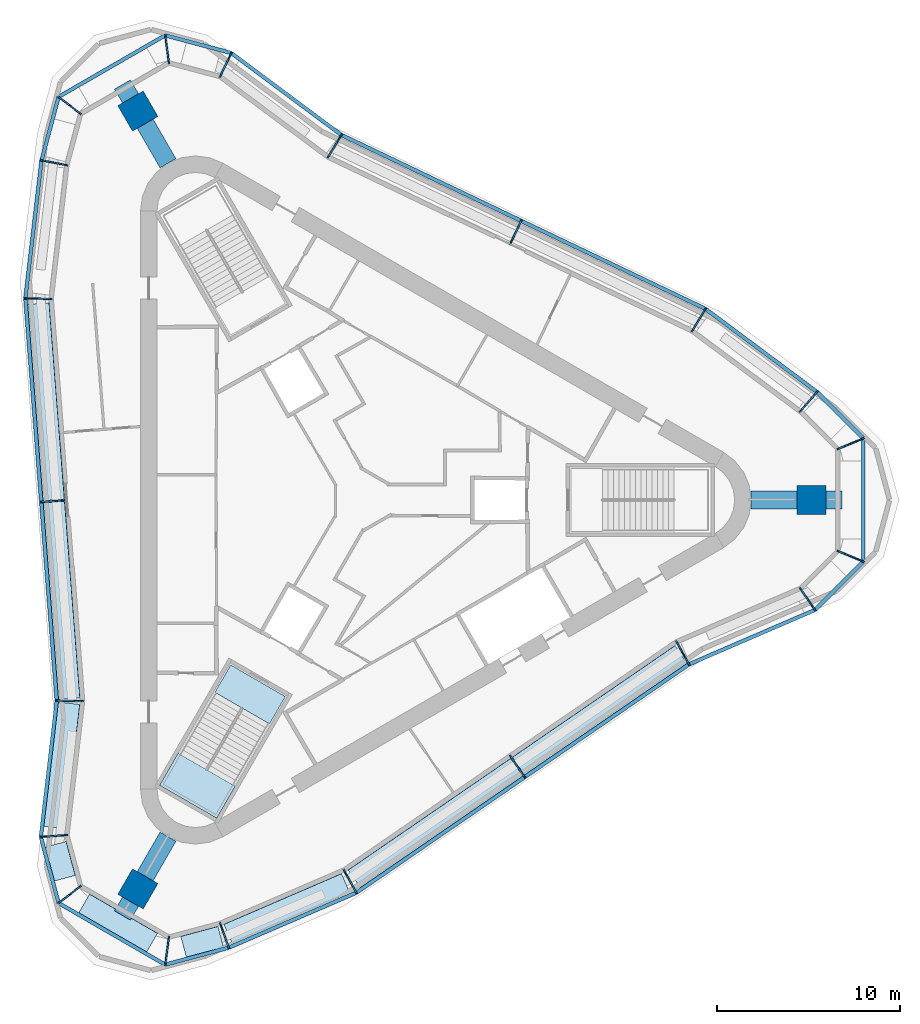
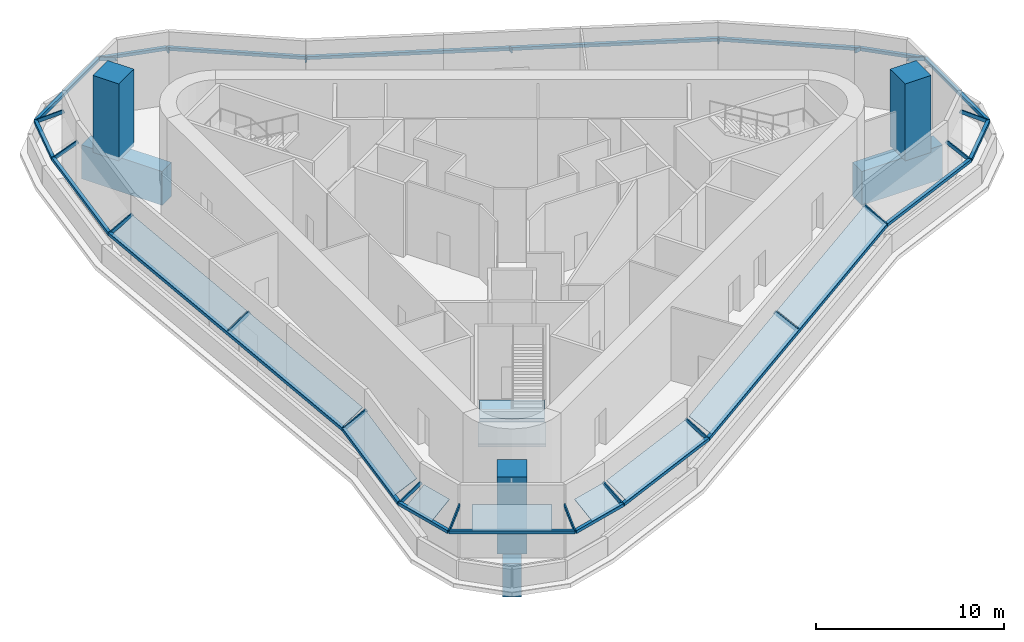
# One storey, part 1 of 7: 39 members, 9 plates, 3 beams, 3 columns, 2 slabs, 2 elements without a shape of their own.
"""IFC4 building model written with IfcOpenShell, lengths in metres."""

from ifc_helpers import new_model, si_unit, direction, frame, origin, origin_2d, place, context, subcontext, project, spatial, polyline, rectangle, outline, extrude, material, layer, layer_set, material_profile, profile_set, type_object, element, aggregate, save


model = new_model("IFC4")

# Units and contexts
model_context = context("Model", 3, precision=1e-05, world=origin(), true_north=direction((0.0, 1.0)))
body_context = subcontext(model_context, "Body", "Model", "MODEL_VIEW")
ifc_project = project(units=[si_unit("LENGTHUNIT", "METRE"), si_unit("AREAUNIT", "SQUARE_METRE"), si_unit("VOLUMEUNIT", "CUBIC_METRE"), si_unit("PLANEANGLEUNIT", "RADIAN"), si_unit("MASSUNIT", "GRAM", prefix="KILO")], contexts=[model_context])

# Site, building, storey
site_placement = place(None, origin())
site = spatial("IfcSite", under=ifc_project, at=site_placement, CompositionType="ELEMENT")
building_placement = place(site_placement, origin())
building = spatial("IfcBuilding", under=site, at=building_placement, Name="Tanit Gate Tower", CompositionType="ELEMENT")
storey_placement = place(building_placement, frame((0.0, 0.0, 420.300048828125)))
storey = spatial("IfcBuildingStorey", under=building, at=storey_placement, Name="L95", CompositionType="ELEMENT", Elevation=420.300048828125)

# Columns
ifc_material_1 = material(Name="Concrete C40/50", Category="concrete")
ifc_material_profile_1 = material_profile(ifc_material_1, rectangle(XDim=1.60009765625, YDim=1.60009765625, at=origin_2d()), Name="RC 1600x1600")
ifc_profile_set_1 = profile_set([ifc_material_profile_1], Name="Concrete C40/50")
column_type = type_object("IfcColumnType", Name="MEGA COLUMN 1600x1600 C40/50", PredefinedType="COLUMN", material=ifc_profile_set_1)
for number, where, z_axis, x_axis, name in (
    (1, (24.486083984375, 0.0, -0.25), (0.0, 0.0, 1.0), (1.0, 0.0, 0.0), "MEGA COLUMN"),
    (2, (-12.242919921875, 21.20556640625, -0.25), (0.0, 0.0, 1.0), (-0.5, 0.866025403784, 0.0), "MEGA COLUMN"),
    (3, (-12.242919921875, -21.20556640625, -0.25), (0.0, 0.0, 1.0), (-0.5, -0.866025403784, 0.0), "MEGA COLUMN"),
):
    element("IfcColumn", number, at=place(storey_placement, frame(where, z_axis=z_axis, x_axis=x_axis)), inside=storey, type_object=column_type, Name=name, PredefinedType="COLUMN", context=body_context, shape_type="SweptSolid", body=[
        extrude(rectangle(XDim=1.60009765625, YDim=1.60009765625, at=origin_2d()), origin(), (0.0, 0.0, 1.0), 5.0),
    ])

# Curtain wall, members
ifc_material_2 = material(Name="Aluminium bronze anodised and glass", Category="aluminium")
curtain_wall_type = type_object("IfcCurtainWallType", Name="Curtain wall crown roof", PredefinedType="NOTDEFINED", material=ifc_material_2)
curtain_wall_placement = place(storey_placement, origin())
curtain_wall = element("IfcCurtainWall", 4, at=curtain_wall_placement, inside=storey, type_object=curtain_wall_type, Name="Glass roof L95", PredefinedType="NOTDEFINED")
ifc_material_3 = material(Name="Aluminium bronze anodised", Category="aluminium")
ifc_material_profile_2 = material_profile(ifc_material_3, rectangle(XDim=0.080078125, YDim=0.219970703125, at=origin_2d()), Name="80x220 bronze rafter")
ifc_profile_set_2 = profile_set([ifc_material_profile_2], Name="Aluminium bronze anodised")
member_type_1 = type_object("IfcMemberType", Name="Mullion 80x220 crown roof", PredefinedType="MULLION", material=ifc_profile_set_2)
member_1_placement = place(storey_placement, frame((23.866455078125, 4.82958984375, 3.408203125), z_axis=(0.566694386259, 0.655617175593, -0.499022636411), x_axis=(-0.756549198503, 0.653936778476, 0.0)))
member_1 = element("IfcMember", 5, at=member_1_placement, type_object=member_type_1, Name="Roof rafter L95 NE1.1", PredefinedType="MULLION", context=body_context, shape_type="SweptSolid", body=[
    extrude(rectangle(XDim=0.080078125, YDim=0.219970703125, at=origin_2d()), origin(), (0.0, 0.0, 1.0), 1.619873046875),
])
member_2_placement = place(storey_placement, frame((17.979736328125, 9.21435546875, 3.408203125), z_axis=(0.447866885512, 0.742381500749, -0.498282008713), x_axis=(-0.856249875895, 0.516561854989, 0.0)))
member_2 = element("IfcMember", 6, at=member_2_placement, type_object=member_type_1, Name="Roof rafter L95 NE1.2", PredefinedType="MULLION", context=body_context, shape_type="SweptSolid", body=[
    extrude(rectangle(XDim=0.080078125, YDim=0.219970703125, at=origin_2d()), origin(), (0.0, 0.0, 1.0), 1.622314453125),
])
member_3_placement = place(storey_placement, frame((8.0546875, 13.955810546875, 3.408203125), z_axis=(0.373331354962, 0.781398232433, -0.500040500113), x_axis=(-0.902305323306, 0.431097556864, 0.0)))
member_3 = element("IfcMember", 7, at=member_3_placement, type_object=member_type_1, Name="Roof rafter L95 NE2.2", PredefinedType="MULLION", context=body_context, shape_type="SweptSolid", body=[
    extrude(rectangle(XDim=0.080078125, YDim=0.219970703125, at=origin_2d()), origin(), (0.0, 0.0, 1.0), 1.616455078125),
])
member_4_placement = place(storey_placement, frame((-1.870361328125, 18.697265625, 3.408203125), z_axis=(0.447987179673, 0.742331460304, -0.498248421866), x_axis=(-0.856173099661, 0.516689097444, 0.0)))
member_4 = element("IfcMember", 8, at=member_4_placement, type_object=member_type_1, Name="Roof rafter L95 NE2.3", PredefinedType="MULLION", context=body_context, shape_type="SweptSolid", body=[
    extrude(rectangle(XDim=0.080078125, YDim=0.219970703125, at=origin_2d()), origin(), (0.0, 0.0, 1.0), 1.622314453125),
])
member_5_placement = place(storey_placement, frame((-7.764404296875, 23.08740234375, 3.408203125), z_axis=(0.379155528934, 0.78289285051, -0.493274639018), x_axis=(-0.900007569344, 0.435874265268, 0.0)))
member_5 = element("IfcMember", 9, at=member_5_placement, type_object=member_type_1, Name="Roof rafter L95 NE3.2", PredefinedType="MULLION", context=body_context, shape_type="SweptSolid", body=[
    extrude(rectangle(XDim=0.080078125, YDim=0.219970703125, at=origin_2d()), origin(), (0.0, 0.0, 1.0), 1.638671875),
])
member_6_placement = place(storey_placement, frame((-10.552001953125, 23.83447265625, 3.408203125), z_axis=(-0.11527965255, 0.874760766702, -0.470642329956), x_axis=(-0.991427954925, -0.130654545246, 0.0)))
member_6 = element("IfcMember", 10, at=member_6_placement, type_object=member_type_1, Name="Roof rafter L95 NW.arc1.2", PredefinedType="MULLION", context=body_context, shape_type="SweptSolid", body=[
    extrude(rectangle(XDim=0.080078125, YDim=0.219970703125, at=origin_2d()), origin(), (0.0, 0.0, 1.0), 1.717529296875),
])
member_7_placement = place(storey_placement, frame((-15.365234375, 21.0556640625, 3.408203125), z_axis=(-0.69999571717, 0.537080385757, -0.470691677406), x_axis=(-0.608729170029, -0.793378092435, 0.0)))
member_7 = element("IfcMember", 11, at=member_7_placement, type_object=member_type_1, Name="Roof rafter L95 NW.arc2.2", PredefinedType="MULLION", context=body_context, shape_type="SweptSolid", body=[
    extrude(rectangle(XDim=0.080078125, YDim=0.219970703125, at=origin_2d()), origin(), (0.0, 0.0, 1.0), 1.71728515625),
])
member_8_placement = place(storey_placement, frame((-16.11572265625, 18.254150390625, 3.408203125), z_axis=(-0.851124919905, 0.162930058158, -0.499039243812), x_axis=(-0.188015155556, -0.98216612713, 0.0)))
member_8 = element("IfcMember", 12, at=member_8_placement, type_object=member_type_1, Name="Roof rafter L95 NW.arc3.2", PredefinedType="MULLION", context=body_context, shape_type="SweptSolid", body=[
    extrude(rectangle(XDim=0.080078125, YDim=0.219970703125, at=origin_2d()), origin(), (0.0, 0.0, 1.0), 1.619873046875),
])
member_9_placement = place(storey_placement, frame((-16.9697265625, 10.963623046875, 3.408203125), z_axis=(-0.866848174051, 0.016855381162, -0.498287205605), x_axis=(-0.019440769646, -0.999811010379, 0.0)))
member_9 = element("IfcMember", 13, at=member_9_placement, type_object=member_type_1, Name="Roof rafter L95 W1.2", PredefinedType="MULLION", context=body_context, shape_type="SweptSolid", body=[
    extrude(rectangle(XDim=0.080078125, YDim=0.219970703125, at=origin_2d()), origin(), (0.0, 0.0, 1.0), 1.622314453125),
])
member_10_placement = place(storey_placement, frame((-16.113525390625, -0.00244140625, 3.408203125), z_axis=(-0.863385119801, -0.067355214873, -0.500029409071), x_axis=(0.077776627829, -0.996970810086, 0.0)))
member_10 = element("IfcMember", 14, at=member_10_placement, type_object=member_type_1, Name="Roof rafter L95 W2.2", PredefinedType="MULLION", context=body_context, shape_type="SweptSolid", body=[
    extrude(rectangle(XDim=0.080078125, YDim=0.219970703125, at=origin_2d()), origin(), (0.0, 0.0, 1.0), 1.61669921875),
])
member_11_placement = place(storey_placement, frame((-15.25732421875, -10.96826171875, 3.408203125), z_axis=(-0.866850363127, 0.016704928873, -0.498288463943), x_axis=(-0.019267256073, -0.999814369192, 0.0)))
member_11 = element("IfcMember", 15, at=member_11_placement, type_object=member_type_1, Name="Roof rafter L95 W2.3", PredefinedType="MULLION", context=body_context, shape_type="SweptSolid", body=[
    extrude(rectangle(XDim=0.080078125, YDim=0.219970703125, at=origin_2d()), origin(), (0.0, 0.0, 1.0), 1.622314453125),
])
member_12_placement = place(storey_placement, frame((-16.112060546875, -18.267822265625, 3.408203125), z_axis=(-0.867561420463, -0.063171224846, -0.493301711), x_axis=(0.072622433472, -0.997359504971, 0.0)))
member_12 = element("IfcMember", 16, at=member_12_placement, type_object=member_type_1, Name="Roof rafter L95 W3.2", PredefinedType="MULLION", context=body_context, shape_type="SweptSolid", body=[
    extrude(rectangle(XDim=0.080078125, YDim=0.219970703125, at=origin_2d()), origin(), (0.0, 0.0, 1.0), 1.638671875),
])
member_13_placement = place(storey_placement, frame((-15.365234375, -21.0556640625, 3.408203125), z_axis=(-0.69999571717, -0.537080385757, -0.470691677406), x_axis=(0.608729170029, -0.793378092435, 0.0)))
member_13 = element("IfcMember", 17, at=member_13_placement, type_object=member_type_1, Name="Roof rafter L95 SW.arc1.2", PredefinedType="MULLION", context=body_context, shape_type="SweptSolid", body=[
    extrude(rectangle(XDim=0.080078125, YDim=0.219970703125, at=origin_2d()), origin(), (0.0, 0.0, 1.0), 1.71728515625),
])
member_14_placement = place(storey_placement, frame((-10.552001953125, -23.83447265625, 3.408203125), z_axis=(-0.11527965255, -0.874760766702, -0.470642329956), x_axis=(0.991427954925, -0.130654545246, 0.0)))
member_14 = element("IfcMember", 18, at=member_14_placement, type_object=member_type_1, Name="Roof rafter L95 SW.arc2.2", PredefinedType="MULLION", context=body_context, shape_type="SweptSolid", body=[
    extrude(rectangle(XDim=0.080078125, YDim=0.219970703125, at=origin_2d()), origin(), (0.0, 0.0, 1.0), 1.717529296875),
])
member_15_placement = place(storey_placement, frame((-7.750732421875, -23.083740234375, 3.408203125), z_axis=(0.284413741675, -0.8185750032, -0.499042871588), x_axis=(0.94460702546, 0.328203545764, 0.0)))
member_15 = element("IfcMember", 19, at=member_15_placement, type_object=member_type_1, Name="Roof rafter L95 SW.arc3.2", PredefinedType="MULLION", context=body_context, shape_type="SweptSolid", body=[
    extrude(rectangle(XDim=0.080078125, YDim=0.219970703125, at=origin_2d()), origin(), (0.0, 0.0, 1.0), 1.619873046875),
])
member_16_placement = place(storey_placement, frame((-1.010009765625, -20.177978515625, 3.408203125), z_axis=(0.418965003126, -0.75907308756, -0.498273392726), x_axis=(0.875496660947, 0.483224168136, 0.0)))
member_16 = element("IfcMember", 20, at=member_16_placement, type_object=member_type_1, Name="Roof rafter L95 SE1.2", PredefinedType="MULLION", context=body_context, shape_type="SweptSolid", body=[
    extrude(rectangle(XDim=0.080078125, YDim=0.219970703125, at=origin_2d()), origin(), (0.0, 0.0, 1.0), 1.622314453125),
])
member_17_placement = place(storey_placement, frame((8.058837890625, -13.953369140625, 3.408203125), z_axis=(0.490056434696, -0.714017511015, -0.500023684216), x_axis=(0.824489423049, 0.56587736417, 0.0)))
member_17 = element("IfcMember", 21, at=member_17_placement, type_object=member_type_1, Name="Roof rafter L95 SE2.2", PredefinedType="MULLION", context=body_context, shape_type="SweptSolid", body=[
    extrude(rectangle(XDim=0.080078125, YDim=0.219970703125, at=origin_2d()), origin(), (0.0, 0.0, 1.0), 1.61669921875),
])
member_18_placement = place(storey_placement, frame((17.12744140625, -7.72900390625, 3.408203125), z_axis=(0.418965003126, -0.75907308756, -0.498273392726), x_axis=(0.875496660947, 0.483224168136, 0.0)))
member_18 = element("IfcMember", 22, at=member_18_placement, type_object=member_type_1, Name="Roof rafter L95 SE2.3", PredefinedType="MULLION", context=body_context, shape_type="SweptSolid", body=[
    extrude(rectangle(XDim=0.080078125, YDim=0.219970703125, at=origin_2d()), origin(), (0.0, 0.0, 1.0), 1.622314453125),
])
member_19_placement = place(storey_placement, frame((23.87646484375, -4.819580078125, 3.408203125), z_axis=(0.488516195533, -0.719738255754, -0.493283660692), x_axis=(0.827410401584, 0.561597745144, 0.0)))
member_19 = element("IfcMember", 23, at=member_19_placement, type_object=member_type_1, Name="Roof rafter L95 SE3.2", PredefinedType="MULLION", context=body_context, shape_type="SweptSolid", body=[
    extrude(rectangle(XDim=0.080078125, YDim=0.219970703125, at=origin_2d()), origin(), (0.0, 0.0, 1.0), 1.638671875),
])
member_20_placement = place(storey_placement, frame((25.917236328125, -2.77880859375, 3.408203125), z_axis=(0.815142652957, -0.337628845618, -0.47069015067), x_axis=(0.382669601595, 0.923885261283, 0.0)))
member_20 = element("IfcMember", 24, at=member_20_placement, type_object=member_type_1, Name="Roof rafter L95 E.arc1.2", PredefinedType="MULLION", context=body_context, shape_type="SweptSolid", body=[
    extrude(rectangle(XDim=0.080078125, YDim=0.219970703125, at=origin_2d()), origin(), (0.0, 0.0, 1.0), 1.71728515625),
])
member_21_placement = place(storey_placement, frame((25.917236328125, 2.77880859375, 3.408203125), z_axis=(0.815142652957, 0.337628845618, -0.47069015067), x_axis=(-0.382669601595, 0.923885261283, 0.0)))
member_21 = element("IfcMember", 25, at=member_21_placement, type_object=member_type_1, Name="Roof rafter L95 E.arc2.2", PredefinedType="MULLION", context=body_context, shape_type="SweptSolid", body=[
    extrude(rectangle(XDim=0.080078125, YDim=0.219970703125, at=origin_2d()), origin(), (0.0, 0.0, 1.0), 1.71728515625),
])

# Beams
ifc_material_4 = material(Name="Concrete C60/75", Category="concrete")
ifc_material_profile_3 = material_profile(ifc_material_4, rectangle(XDim=1.0, YDim=2.199951171875, at=origin_2d()), Name="RC 1000x2200")
ifc_profile_set_3 = profile_set([ifc_material_profile_3], Name="Concrete C60/75")
beam_type = type_object("IfcBeamType", Name="TRANSFER GIRDER 1000x2200 C60/75", PredefinedType="USERDEFINED", material=ifc_profile_set_3)
beam_1_placement = place(storey_placement, frame((-13.08056640625, -22.65625, -1.35009765625), z_axis=(0.499993775223, 0.866028997631, 0.0), x_axis=(-0.866028997631, 0.499993775223, 0.0)))
element("IfcBeam", 26, at=beam_1_placement, inside=storey, type_object=beam_type, Name="TRANSFER GIRDER", ObjectType="GIRDER", PredefinedType="USERDEFINED", context=body_context, shape_type="SweptSolid", body=[
    extrude(rectangle(XDim=1.0, YDim=2.199951171875, at=origin_2d()), origin(), (0.0, 0.0, 1.0), 4.958984375),
])
beam_2_placement = place(storey_placement, frame((26.1611328125, 0.0, -1.35009765625), z_axis=(-1.0, 0.0, 0.0), x_axis=(0.0, -1.0, 0.0)))
element("IfcBeam", 27, at=beam_2_placement, inside=storey, type_object=beam_type, Name="TRANSFER GIRDER", ObjectType="GIRDER", PredefinedType="USERDEFINED", context=body_context, shape_type="SweptSolid", body=[
    extrude(rectangle(XDim=1.0, YDim=2.199951171875, at=origin_2d()), origin(), (0.0, 0.0, 1.0), 4.959228515625),
])
beam_3_placement = place(storey_placement, frame((-13.08056640625, 22.65625, -1.35009765625), z_axis=(0.499993775223, -0.866028997631, 0.0), x_axis=(0.866028997631, 0.499993775223, 0.0)))
element("IfcBeam", 28, at=beam_3_placement, inside=storey, type_object=beam_type, Name="TRANSFER GIRDER", ObjectType="GIRDER", PredefinedType="USERDEFINED", context=body_context, shape_type="SweptSolid", body=[
    extrude(rectangle(XDim=1.0, YDim=2.199951171875, at=origin_2d()), origin(), (0.0, 0.0, 1.0), 4.958984375),
])

# Member
ifc_material_5 = material(Name="Aluminium bronze anodised", Category="aluminium")
ifc_material_profile_4 = material_profile(ifc_material_5, rectangle(XDim=0.199951171875, YDim=0.199951171875, at=origin_2d()), Name="200x200 bronze transom")
ifc_profile_set_4 = profile_set([ifc_material_profile_4], Name="Aluminium bronze anodised")
member_type_2 = type_object("IfcMemberType", Name="Transom 200x200 crown roof", PredefinedType="USERDEFINED", material=ifc_profile_set_4)
member_22_placement = place(storey_placement, frame((24.784423828125, 5.8916015625, 2.626953125), z_axis=(-0.801990246471, 0.597337128065, 0.0), x_axis=(-0.597337128065, -0.801990246471, 0.0)))
member_22 = element("IfcMember", 29, at=member_22_placement, type_object=member_type_2, Name="Eave beam L95 NE1", ObjectType="TRANSOM", PredefinedType="USERDEFINED", context=body_context, shape_type="SweptSolid", body=[
    extrude(rectangle(XDim=0.199951171875, YDim=0.199951171875, at=origin_2d()), origin(), (0.0, 0.0, 1.0), 7.578857421875),
])

member_23_placement = place(storey_placement, frame((18.706298828125, 10.418701171875, 2.626953125), z_axis=(-0.902319883789, 0.431067079837, 0.0), x_axis=(-0.431067079837, -0.902319883789, 0.0)))
member_23 = element("IfcMember", 30, at=member_23_placement, type_object=member_type_2, Name="Eave beam L95 NE2", ObjectType="TRANSOM", PredefinedType="USERDEFINED", context=body_context, shape_type="SweptSolid", body=[
    extrude(rectangle(XDim=0.199951171875, YDim=0.199951171875, at=origin_2d()), origin(), (0.0, 0.0, 1.0), 21.998779296875),
])

member_24_placement = place(storey_placement, frame((-1.1435546875, 19.901611328125, 2.626953125), z_axis=(-0.801977245857, 0.597354582411, 0.0), x_axis=(-0.597354582411, -0.801977245857, 0.0)))
member_24 = element("IfcMember", 31, at=member_24_placement, type_object=member_type_2, Name="Eave beam L95 NE3", ObjectType="TRANSOM", PredefinedType="USERDEFINED", context=body_context, shape_type="SweptSolid", body=[
    extrude(rectangle(XDim=0.199951171875, YDim=0.199951171875, at=origin_2d()), origin(), (0.0, 0.0, 1.0), 7.48095703125),
])

member_25_placement = place(storey_placement, frame((-7.14306640625, 24.370361328125, 2.626953125), z_axis=(-0.965920618088, 0.25883848159, 0.0), x_axis=(-0.25883848159, -0.965920618088, 0.0)))
member_25 = element("IfcMember", 32, at=member_25_placement, type_object=member_type_2, Name="Eave beam L95 NW.arc1", ObjectType="TRANSOM", PredefinedType="USERDEFINED", context=body_context, shape_type="SweptSolid", body=[
    extrude(rectangle(XDim=0.199951171875, YDim=0.199951171875, at=origin_2d()), origin(), (0.0, 0.0, 1.0), 3.734130859375),
])

member_26_placement = place(storey_placement, frame((-10.75, 25.3369140625, 2.626953125), z_axis=(-0.866011274508, -0.500024471826, 0.0), x_axis=(0.500024471826, -0.866011274508, 0.0)))
member_26 = element("IfcMember", 33, at=member_26_placement, type_object=member_type_2, Name="Eave beam L95 NW.arc2", ObjectType="TRANSOM", PredefinedType="USERDEFINED", context=body_context, shape_type="SweptSolid", body=[
    extrude(rectangle(XDim=0.199951171875, YDim=0.199951171875, at=origin_2d()), origin(), (0.0, 0.0, 1.0), 6.717529296875),
])

member_27_placement = place(storey_placement, frame((-16.5673828125, 21.97802734375, 2.626953125), z_axis=(-0.258795137252, -0.965932232061, 0.0), x_axis=(0.965932232061, -0.258795137252, 0.0)))
member_27 = element("IfcMember", 34, at=member_27_placement, type_object=member_type_2, Name="Eave beam L95 NW.arc3", ObjectType="TRANSOM", PredefinedType="USERDEFINED", context=body_context, shape_type="SweptSolid", body=[
    extrude(rectangle(XDim=0.199951171875, YDim=0.199951171875, at=origin_2d()), origin(), (0.0, 0.0, 1.0), 3.58203125),
])

member_28_placement = place(storey_placement, frame((-17.494384765625, 18.51806640625, 2.626953125), z_axis=(-0.116327226285, -0.993210942562, 0.0), x_axis=(0.993210942562, -0.116327226285, 0.0)))
member_28 = element("IfcMember", 35, at=member_28_placement, type_object=member_type_2, Name="Eave beam L95 W1", ObjectType="TRANSOM", PredefinedType="USERDEFINED", context=body_context, shape_type="SweptSolid", body=[
    extrude(rectangle(XDim=0.199951171875, YDim=0.199951171875, at=origin_2d()), origin(), (0.0, 0.0, 1.0), 7.57861328125),
])

member_29_placement = place(storey_placement, frame((-18.3759765625, 10.990966796875, 2.626953125), z_axis=(0.077840442696, -0.996965829646, 0.0), x_axis=(0.996965829646, 0.077840442696, 0.0)))
member_29 = element("IfcMember", 36, at=member_29_placement, type_object=member_type_2, Name="Eave beam L95 W2", ObjectType="TRANSOM", PredefinedType="USERDEFINED", context=body_context, shape_type="SweptSolid", body=[
    extrude(rectangle(XDim=0.199951171875, YDim=0.199951171875, at=origin_2d()), origin(), (0.0, 0.0, 1.0), 21.998779296875),
])

member_30_placement = place(storey_placement, frame((-16.66357421875, -10.941162109375, 2.626953125), z_axis=(-0.116311051799, -0.993212836823, 0.0), x_axis=(0.993212836823, -0.116311051799, 0.0)))
member_30 = element("IfcMember", 37, at=member_30_placement, type_object=member_type_2, Name="Eave beam L95 W3", ObjectType="TRANSOM", PredefinedType="USERDEFINED", context=body_context, shape_type="SweptSolid", body=[
    extrude(rectangle(XDim=0.199951171875, YDim=0.199951171875, at=origin_2d()), origin(), (0.0, 0.0, 1.0), 7.48095703125),
])

member_31_placement = place(storey_placement, frame((-17.53369140625, -18.371337890625, 2.626953125), z_axis=(0.258793824326, -0.965932583823, 0.0), x_axis=(0.965932583823, 0.258793824326, 0.0)))
member_31 = element("IfcMember", 38, at=member_31_placement, type_object=member_type_2, Name="Eave beam L95 SW.arc1", ObjectType="TRANSOM", PredefinedType="USERDEFINED", context=body_context, shape_type="SweptSolid", body=[
    extrude(rectangle(XDim=0.199951171875, YDim=0.199951171875, at=origin_2d()), origin(), (0.0, 0.0, 1.0), 3.73388671875),
])

member_32_placement = place(storey_placement, frame((-16.5673828125, -21.97802734375, 2.626953125), z_axis=(0.866011274508, -0.500024471826, 0.0), x_axis=(0.500024471826, 0.866011274508, 0.0)))
member_32 = element("IfcMember", 39, at=member_32_placement, type_object=member_type_2, Name="Eave beam L95 SW.arc2", ObjectType="TRANSOM", PredefinedType="USERDEFINED", context=body_context, shape_type="SweptSolid", body=[
    extrude(rectangle(XDim=0.199951171875, YDim=0.199951171875, at=origin_2d()), origin(), (0.0, 0.0, 1.0), 6.717529296875),
])

member_33_placement = place(storey_placement, frame((-10.75, -25.3369140625, 2.626953125), z_axis=(0.965915192281, 0.258858728499, 0.0), x_axis=(-0.258858728499, 0.965915192281, 0.0)))
member_33 = element("IfcMember", 40, at=member_33_placement, type_object=member_type_2, Name="Eave beam L95 SW.arc3", ObjectType="TRANSOM", PredefinedType="USERDEFINED", context=body_context, shape_type="SweptSolid", body=[
    extrude(rectangle(XDim=0.199951171875, YDim=0.199951171875, at=origin_2d()), origin(), (0.0, 0.0, 1.0), 3.58203125),
])

member_34_placement = place(storey_placement, frame((-7.2900390625, -24.40966796875, 2.626953125), z_axis=(0.918306521141, 0.395870096408, 0.0), x_axis=(-0.395870096408, 0.918306521141, 0.0)))
member_34 = element("IfcMember", 41, at=member_34_placement, type_object=member_type_2, Name="Eave beam L95 SE1", ObjectType="TRANSOM", PredefinedType="USERDEFINED", context=body_context, shape_type="SweptSolid", body=[
    extrude(rectangle(XDim=0.199951171875, YDim=0.199951171875, at=origin_2d()), origin(), (0.0, 0.0, 1.0), 7.578857421875),
])

member_35_placement = place(storey_placement, frame((-0.330322265625, -21.409423828125, 2.626953125), z_axis=(0.824477208683, 0.565895160221, 0.0), x_axis=(-0.565895160221, 0.824477208683, 0.0)))
member_35 = element("IfcMember", 42, at=member_35_placement, type_object=member_type_2, Name="Eave beam L95 SE2", ObjectType="TRANSOM", PredefinedType="USERDEFINED", context=body_context, shape_type="SweptSolid", body=[
    extrude(rectangle(XDim=0.199951171875, YDim=0.199951171875, at=origin_2d()), origin(), (0.0, 0.0, 1.0), 21.998779296875),
])

member_36_placement = place(storey_placement, frame((17.80712890625, -8.96044921875, 2.626953125), z_axis=(0.918310791399, 0.395860190471, 0.0), x_axis=(-0.395860190471, 0.918310791399, 0.0)))
member_36 = element("IfcMember", 43, at=member_36_placement, type_object=member_type_2, Name="Eave beam L95 SE3", ObjectType="TRANSOM", PredefinedType="USERDEFINED", context=body_context, shape_type="SweptSolid", body=[
    extrude(rectangle(XDim=0.199951171875, YDim=0.199951171875, at=origin_2d()), origin(), (0.0, 0.0, 1.0), 7.48095703125),
])

member_37_placement = place(storey_placement, frame((24.677001953125, -5.9990234375, 2.626953125), z_axis=(0.707074087899, 0.707139472963, 0.0), x_axis=(-0.707139472963, 0.707074087899, 0.0)))
member_37 = element("IfcMember", 44, at=member_37_placement, type_object=member_type_2, Name="Eave beam L95 E.arc1", ObjectType="TRANSOM", PredefinedType="USERDEFINED", context=body_context, shape_type="SweptSolid", body=[
    extrude(rectangle(XDim=0.199951171875, YDim=0.199951171875, at=origin_2d()), origin(), (0.0, 0.0, 1.0), 3.73388671875),
])

member_38_placement = place(storey_placement, frame((27.317138671875, -3.358642578125, 2.626953125), z_axis=(0.0, 1.0, 0.0), x_axis=(-1.0, 0.0, 0.0)))
member_38 = element("IfcMember", 45, at=member_38_placement, type_object=member_type_2, Name="Eave beam L95 E.arc2", ObjectType="TRANSOM", PredefinedType="USERDEFINED", context=body_context, shape_type="SweptSolid", body=[
    extrude(rectangle(XDim=0.199951171875, YDim=0.199951171875, at=origin_2d()), origin(), (0.0, 0.0, 1.0), 6.71728515625),
])

member_39_placement = place(storey_placement, frame((27.317138671875, 3.358642578125, 2.626953125), z_axis=(-0.707072701288, 0.707140859443, 0.0), x_axis=(-0.707140859443, -0.707072701288, 0.0)))
member_39 = element("IfcMember", 46, at=member_39_placement, type_object=member_type_2, Name="Eave beam L95 E.arc3", ObjectType="TRANSOM", PredefinedType="USERDEFINED", context=body_context, shape_type="SweptSolid", body=[
    extrude(rectangle(XDim=0.199951171875, YDim=0.199951171875, at=origin_2d()), origin(), (0.0, 0.0, 1.0), 3.58203125),
])

# Plate
ifc_material_6 = material(Name="Glass tinted laminated safety", Category="glass")
ifc_layer_1 = layer(ifc_material_6, 0.033935546875)
ifc_layer_set_1 = layer_set([ifc_layer_1], Name="Glass panel 34 crown roof")
plate_type = type_object("IfcPlateType", Name="Glass panel 34 crown roof", PredefinedType="CURTAIN_PANEL", material=ifc_layer_set_1)
plate_1_placement = place(storey_placement, frame((-17.0859375, 10.757568359375, 3.498291015625), z_axis=(-0.498496399524, -0.038918842667, 0.86601770383), x_axis=(0.077834947933, -0.996966258647, -3.82974e-07)))
plate_1 = element("IfcPlate", 47, at=plate_1_placement, type_object=plate_type, Name="Roof glass panel L95 W2.1", PredefinedType="CURTAIN_PANEL", context=body_context, shape_type="SweptSolid", body=[
    extrude(outline(polyline([(0.0, 0.0), (10.74304064050389, -1.1102230246251565e-16), (10.742990096313516, -1.5473137812500761), (0.0001928557751155324, -1.5473302378545621), (0.0, 0.0)])), origin(), (0.0, 0.0, -1.0), 0.033935546875),
])

plate_2_placement = place(storey_placement, frame((-16.240478515625, -0.072509765625, 3.498291015625), z_axis=(-0.49849813455, -0.038930785041, 0.86601616834), x_axis=(0.077859079227, -0.996964374379, 0.0)))
plate_2 = element("IfcPlate", 48, at=plate_2_placement, type_object=plate_type, Name="Roof glass panel L95 W2.2", PredefinedType="CURTAIN_PANEL", context=body_context, shape_type="SweptSolid", body=[
    extrude(outline(polyline([(0.0, 0.0), (10.74281624635897, 0.0), (10.742732971536714, -1.5473137798420198), (-8.327482225500837e-05, -1.5473137798420198), (0.0, 0.0)])), origin(), (0.0, 0.0, -1.0), 0.033935546875),
])

plate_3_placement = place(storey_placement, frame((-15.4111328125, -11.148193359375, 3.498291015625), z_axis=(-0.496613281988, 0.058158370811, 0.866021276908), x_axis=(-0.116326761991, -0.993210996918, -6.791523e-06)))
plate_3 = element("IfcPlate", 49, at=plate_3_placement, type_object=plate_type, Name="Roof glass panel L95 W3.1", PredefinedType="CURTAIN_PANEL", context=body_context, shape_type="SweptSolid", body=[
    extrude(outline(polyline([(0.0, 0.0), (6.824901845561292, 0.0), (6.824769246664272, -1.5472484611161046), (0.00013828434490201086, -1.547433860685706), (0.0, 0.0)])), origin(), (0.0, 0.0, -1.0), 0.033935546875),
])

plate_4_placement = place(storey_placement, frame((-16.15478515625, -18.618896484375, 3.498291015625), z_axis=(-0.482984057222, -0.129425852324, 0.866011171533), x_axis=(0.25887154074, -0.9659117584, 1.9485251e-05)))
plate_4 = element("IfcPlate", 50, at=plate_4_placement, type_object=plate_type, Name="Roof glass panel L95 SW.arc1.1", PredefinedType="CURTAIN_PANEL", context=body_context, shape_type="SweptSolid", body=[
    extrude(outline(polyline([(0.0, 0.0), (1.9181760371977894, 0.0), (1.9179309295714952, -1.5473617396890054), (5.391173384717353e-05, -1.547212254143533), (0.0, 0.0)])), origin(), (0.0, 0.0, -1.0), 0.033935546875),
])

plate_5_placement = place(storey_placement, frame((-14.876953125, -21.48974609375, 3.498291015625), z_axis=(-0.250009546383, -0.433004606699, 0.866026695486), x_axis=(0.866009172038, -0.500028113136, -4.522034e-06)))
plate_5 = element("IfcPlate", 51, at=plate_5_placement, type_object=plate_type, Name="Roof glass panel L95 SW.arc2.1", PredefinedType="CURTAIN_PANEL", context=body_context, shape_type="SweptSolid", body=[
    extrude(outline(polyline([(0.0, 0.0), (4.2780604279706544, 0.0), (4.277926828071968, -1.5473315151426346), (0.0001999052978887651, -1.5474088946051439), (0.0, 0.0)])), origin(), (0.0, 0.0, -1.0), 0.033935546875),
])

plate_6_placement = place(storey_placement, frame((-9.89990234375, -23.79638671875, 3.498291015625), z_axis=(0.129433978936, -0.483006888588, 0.865997223248), x_axis=(0.965919490018, 0.258842691231, 0.0)))
plate_6 = element("IfcPlate", 52, at=plate_6_placement, type_object=plate_type, Name="Roof glass panel L95 SW.arc3.1", PredefinedType="CURTAIN_PANEL", context=body_context, shape_type="SweptSolid", body=[
    extrude(outline(polyline([(0.0, 0.0), (2.0986217074235762, -5.551115123125783e-17), (2.098730713551664, -1.5472122518448292), (0.00010900612808811827, -1.547212251844829), (0.0, 0.0)])), origin(), (0.0, 0.0, -1.0), 0.033935546875),
])

plate_7_placement = place(storey_placement, frame((-7.5498046875, -23.140869140625, 3.498291015625), z_axis=(0.197928760507, -0.459149965078, 0.866028588058), x_axis=(0.918305292723, 0.395872945916, 6.952354e-06)))
plate_7 = element("IfcPlate", 53, at=plate_7_placement, type_object=plate_type, Name="Roof glass panel L95 SE1.1", PredefinedType="CURTAIN_PANEL", context=body_context, shape_type="SweptSolid", body=[
    extrude(outline(polyline([(0.0, 0.0), (6.981760965068149, 0.0), (6.981726748446296, -1.5474774300706715), (6.243204658254536e-05, -1.5472832705833686), (0.0, 0.0)])), origin(), (0.0, 0.0, -1.0), 0.033935546875),
])

plate_8_placement = place(storey_placement, frame((-0.773193359375, -20.175537109375, 3.498291015625), z_axis=(0.282946603678, -0.412241514621, 0.86602433747), x_axis=(0.824476007568, 0.56589691016, 4.056709e-06)))
plate_8 = element("IfcPlate", 54, at=plate_8_placement, type_object=plate_type, Name="Roof glass panel L95 SE2.1", PredefinedType="CURTAIN_PANEL", context=body_context, shape_type="SweptSolid", body=[
    extrude(outline(polyline([(0.0, 0.0), (10.742813485948655, 8.881784197001252e-16), (10.742706114955494, -1.5474447253917145), (3.0787432169832034e-05, -1.5472704052890836), (0.0, 0.0)])), origin(), (0.0, 0.0, -1.0), 0.033935546875),
])

plate_9_placement = place(storey_placement, frame((8.182861328125, -14.0283203125, 3.498291015625), z_axis=(0.282946603678, -0.412241514621, 0.86602433747), x_axis=(0.824476007568, 0.56589691016, 4.056709e-06)))
plate_9 = element("IfcPlate", 55, at=plate_9_placement, type_object=plate_type, Name="Roof glass panel L95 SE2.2", PredefinedType="CURTAIN_PANEL", context=body_context, shape_type="SweptSolid", body=[
    extrude(outline(polyline([(0.0, 0.0), (10.742813485948655, 8.881784197001252e-16), (10.742706114955494, -1.5474447253917145), (3.0787432169832034e-05, -1.5472704052890836), (0.0, 0.0)])), origin(), (0.0, 0.0, -1.0), 0.033935546875),
])

aggregate(curtain_wall, [member_1, member_2, member_22, member_3, member_4, member_23, member_5, member_24, member_6, member_25, member_7, member_26, member_8, member_27, member_9, member_28, member_10, member_11, member_29, plate_1, plate_2, member_12, member_30, plate_3, member_13, member_31, plate_4, member_14, member_32, plate_5, member_15, member_33, plate_6, member_16, member_34, plate_7, member_17, member_18, member_35, plate_8, plate_9, member_19, member_36, member_20, member_37, member_21, member_38, member_39])

# Stair, slab
ifc_material_7 = material(Name="Concrete C40/50", Category="concrete")
stair_type = type_object("IfcStairType", Name="INT-STAIR-EXIT", PredefinedType="HALF_TURN_STAIR", material=ifc_material_7)
stair_placement = place(storey_placement, origin())
stair = element("IfcStair", 56, at=stair_placement, inside=storey, type_object=stair_type, Name="L95 STAIR S3", PredefinedType="HALF_TURN_STAIR")
ifc_material_8 = material(Name="Concrete C40/50", Category="concrete")
ifc_layer_2 = layer(ifc_material_8, 0.199951171875)
ifc_layer_set_2 = layer_set([ifc_layer_2], Name="INT-STAIR-LANDING")
slab_type = type_object("IfcSlabType", Name="INT-STAIR-LANDING", PredefinedType="LANDING", material=ifc_layer_set_2)
slab_1_placement = place(storey_placement, frame((0.0, 0.0, 2.300048828125)))
slab_1 = element("IfcSlab", 57, at=slab_1_placement, type_object=slab_type, Name="S3 landing 1", PredefinedType="LANDING", context=body_context, shape_type="SweptSolid", body=[
    extrude(outline(polyline([(-10.05126953125, -13.809326171875), (-11.058837890625, -15.554443359375), (-7.941162109375, -17.3544921875), (-6.93359375, -15.609375), (-10.05126953125, -13.809326171875)])), origin(), (0.0, 0.0, 1.0), 0.199951171875),
])
aggregate(stair, [slab_1])

# Slab
slab_2_placement = place(storey_placement, frame((0.0, 0.0, -0.199951171875)))
element("IfcSlab", 58, at=slab_2_placement, inside=storey, type_object=slab_type, Name="S3 floor landing", PredefinedType="LANDING", context=body_context, shape_type="SweptSolid", body=[
    extrude(outline(polyline([(-7.179443359375, -8.995361328125), (-8.0419921875, -10.4892578125), (-5.06298828125, -12.209228515625), (-4.200439453125, -10.71533203125), (-7.179443359375, -8.995361328125)])), origin(), (0.0, 0.0, 1.0), 0.199951171875),
])

save(model, "model.ifc")
